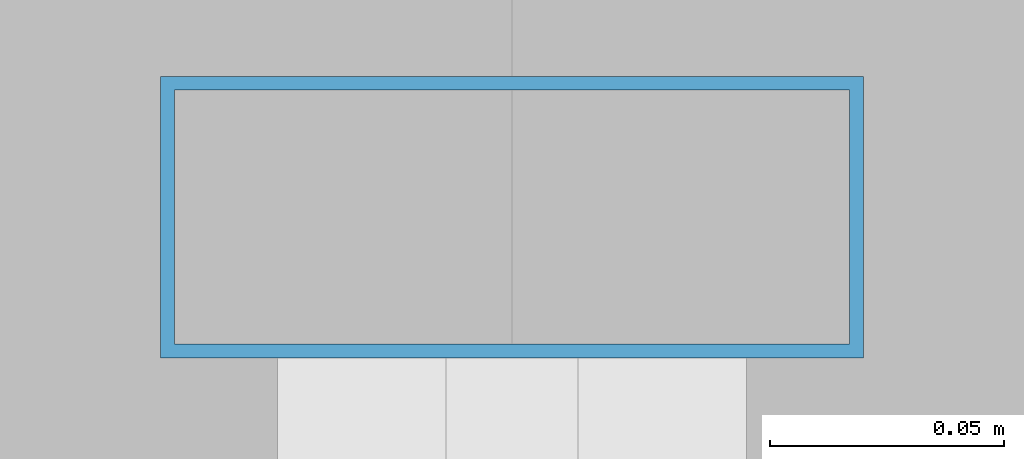
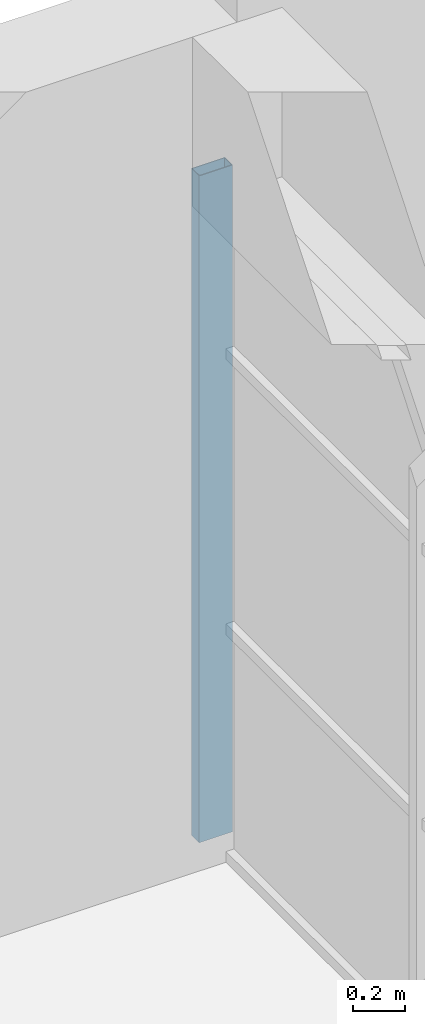
# One storey, part 39 of 103: 1 member, 1 element without a shape of its own.
"""IFC4 building model written with IfcOpenShell, lengths in metres."""

from ifc_helpers import new_model, si_unit, direction, frame, origin, origin_2d, place, context, subcontext, project, spatial, hollow_rectangle, extrude, material, material_profile, profile_set, type_object, element, aggregate, save


model = new_model("IFC4")

# Units and contexts
model_context = context("Model", 3, precision=1e-05, world=origin(), true_north=direction((0.0, 1.0)))
body_context = subcontext(model_context, "Body", "Model", "MODEL_VIEW")
ifc_project = project(units=[si_unit("LENGTHUNIT", "METRE"), si_unit("AREAUNIT", "SQUARE_METRE"), si_unit("VOLUMEUNIT", "CUBIC_METRE"), si_unit("PLANEANGLEUNIT", "RADIAN"), si_unit("MASSUNIT", "GRAM", prefix="KILO")], contexts=[model_context])

# Site, building, storey
site_placement = place(None, origin())
site = spatial("IfcSite", under=ifc_project, at=site_placement, CompositionType="ELEMENT")
building_placement = place(site_placement, origin())
building = spatial("IfcBuilding", under=site, at=building_placement, Name="Laocheng Heights Fire and Rescue Headquarters", CompositionType="ELEMENT")
storey_placement = place(building_placement, frame((0.0, 0.0, 4.199951171875)))
storey = spatial("IfcBuildingStorey", under=building, at=storey_placement, Name="L01", CompositionType="ELEMENT", Elevation=4.199951171875)

# Curtain wall, member
ifc_material_1 = material(Name="Dark anodised aluminium unitised curtain wall, low-e double glazing", Category="aluminium")
curtain_wall_type = type_object("IfcCurtainWallType", Name="CW 6850 x 3150 CREW COURT GLAZING", PredefinedType="NOTDEFINED", material=ifc_material_1)
curtain_wall_placement = place(storey_placement, origin())
curtain_wall = element("IfcCurtainWall", 1, at=curtain_wall_placement, inside=storey, type_object=curtain_wall_type, Name="X8-W CREW EAST L01", PredefinedType="NOTDEFINED")
ifc_material_2 = material(Name="Dark anodised aluminium 6063-T5 extrusion", Category="aluminium")
ifc_material_profile = material_profile(ifc_material_2, hollow_rectangle(XDim=0.14990234375, YDim=0.06005859375, WallThickness=0.0029296875, at=origin_2d()), Name="AL MULLION 150x60x3 CREW COURT GLAZING")
ifc_profile_set = profile_set([ifc_material_profile], Name="Dark anodised aluminium 6063-T5 extrusion")
member_type = type_object("IfcMemberType", Name="AL MULLION 150x60x3 CREW COURT GLAZING", PredefinedType="MULLION", material=ifc_profile_set)
member_placement = place(storey_placement, frame((108.0, 57.570068359375, 0.0), z_axis=(0.0, 0.0, 1.0), x_axis=(-1.0, 0.0, 0.0)))
member = element("IfcMember", 2, at=member_placement, type_object=member_type, Name="X8-W mullion 5", PredefinedType="MULLION", context=body_context, shape_type="SweptSolid", body=[
    extrude(hollow_rectangle(XDim=0.14990234375, YDim=0.06005859375, WallThickness=0.0029296875, at=origin_2d()), origin(), (0.0, 0.0, 1.0), 3.150146484375),
])
aggregate(curtain_wall, [member])

save(model, "model.ifc")
